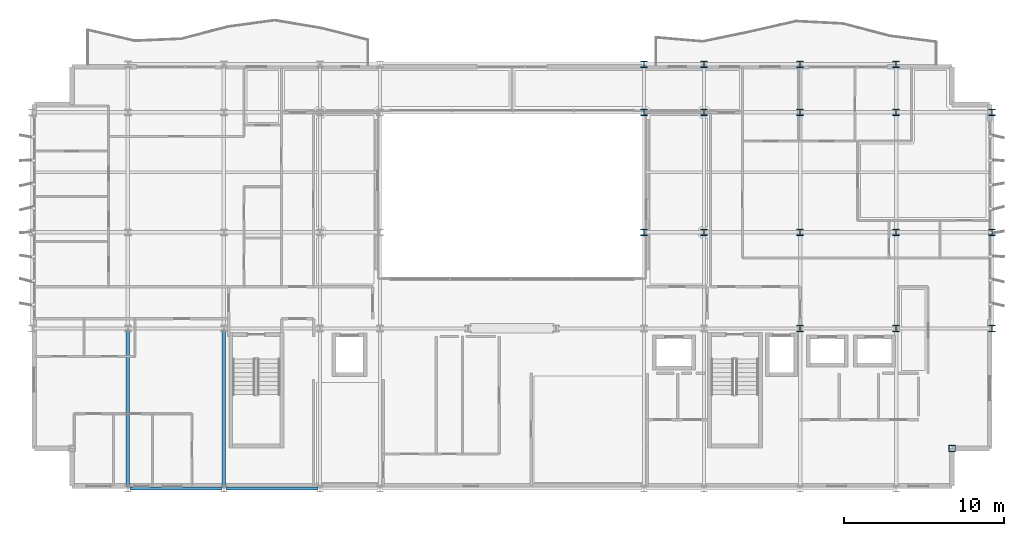
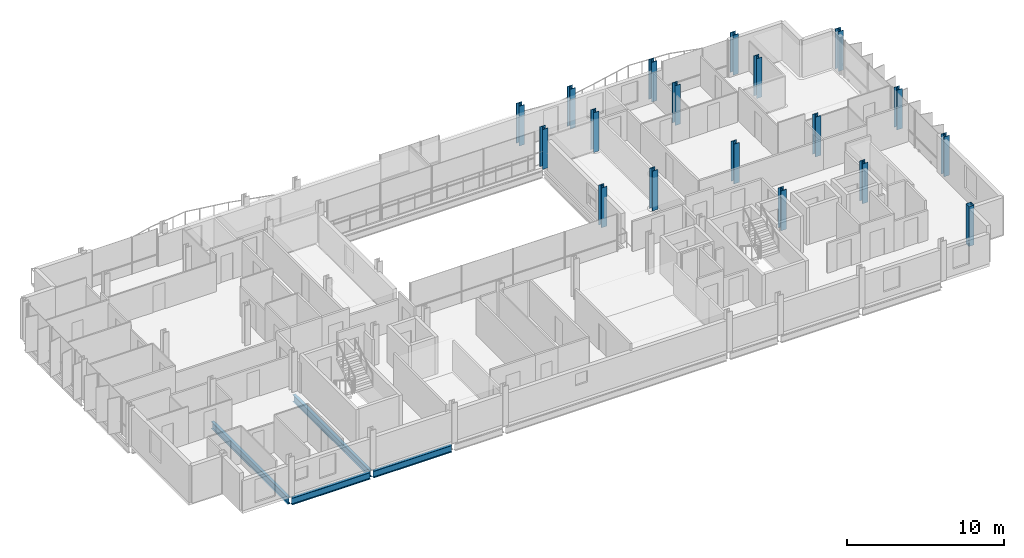
# One storey, part 2 of 38: 18 columns, 4 beams.
"""IFC4 building model written with IfcOpenShell, lengths in metres."""

from ifc_helpers import new_model, si_unit, direction, frame, origin, origin_2d, place, context, subcontext, project, spatial, hollow_rectangle, i_section, extrude, material, material_profile, profile_set, type_object, element, save


model = new_model("IFC4")

# Units and contexts
model_context = context("Model", 3, precision=1e-05, world=origin(), true_north=direction((0.0, 1.0)))
body_context = subcontext(model_context, "Body", "Model", "MODEL_VIEW")
ifc_project = project(units=[si_unit("LENGTHUNIT", "METRE"), si_unit("AREAUNIT", "SQUARE_METRE"), si_unit("VOLUMEUNIT", "CUBIC_METRE"), si_unit("PLANEANGLEUNIT", "RADIAN"), si_unit("MASSUNIT", "GRAM", prefix="KILO")], contexts=[model_context])

# Site, building, storey
site_placement = place(None, origin())
site = spatial("IfcSite", under=ifc_project, at=site_placement, CompositionType="ELEMENT")
building_placement = place(site_placement, origin())
building = spatial("IfcBuilding", under=site, at=building_placement, Name="Brevholm Reach", CompositionType="ELEMENT")
storey_placement = place(building_placement, frame((0.0, 0.0, 186.300048828125)))
storey = spatial("IfcBuildingStorey", under=building, at=storey_placement, Name="L56", CompositionType="ELEMENT", Elevation=186.300048828125)

# Columns
ifc_material_1 = material(Name="Structural Steel S460NH", Category="steel")
ifc_material_profile_1 = material_profile(ifc_material_1, hollow_rectangle(XDim=0.39990234375, YDim=0.39990234375, WallThickness=0.02001953125, InnerFilletRadius=0.011962890625, OuterFilletRadius=0.02392578125, at=origin_2d()), Name="SHS 400x400x20")
ifc_profile_set_1 = profile_set([ifc_material_profile_1], Name="Structural Steel S460NH")
column_type_1 = type_object("IfcColumnType", Name="COL-SHS2", PredefinedType="COLUMN", material=ifc_profile_set_1)
column_placement = place(storey_placement, frame((57.5, 2.5, 0.0), z_axis=(0.0, 0.0, 1.0), x_axis=(1.0, 0.0, 0.0)))
element("IfcColumn", 1, at=column_placement, inside=storey, type_object=column_type_1, Name="L56 Column 47", PredefinedType="COLUMN", context=body_context, shape_type="SweptSolid", body=[
    extrude(hollow_rectangle(XDim=0.39990234375, YDim=0.39990234375, WallThickness=0.02001953125, InnerFilletRadius=0.011962890625, OuterFilletRadius=0.02392578125, at=origin_2d()), origin(), (0.0, 0.0, 1.0), 3.099853515625),
])
ifc_material_2 = material(Name="Structural Steel S355J2", Category="steel")
ifc_material_profile_2 = material_profile(ifc_material_2, i_section(OverallWidth=0.39892578125, OverallDepth=0.3935546875, WebThickness=0.022705078125, FlangeThickness=0.03662109375, FilletRadius=0.01513671875, at=origin_2d()), Name="UKC 356x406x287")
ifc_profile_set_2 = profile_set([ifc_material_profile_2], Name="Structural Steel S355J2")
column_type_2 = type_object("IfcColumnType", Name="COL-UC5B", PredefinedType="COLUMN", material=ifc_profile_set_2)
for number, where, z_axis, x_axis, name in (
    (2, (38.25, 16.0, 0.0), (0.0, 0.0, 1.0), (1.0, 0.0, 0.0), "L56 Column 29"),
    (3, (38.25, 23.5, 0.0), (0.0, 0.0, 1.0), (1.0, 0.0, 0.0), "L56 Column 30"),
    (4, (38.25, 26.5, 0.0), (0.0, 0.0, 1.0), (1.0, 0.0, 0.0), "L56 Column 31"),
    (5, (42.0, 16.0, 0.0), (0.0, 0.0, 1.0), (1.0, 0.0, 0.0), "L56 Column 34"),
    (6, (42.0, 23.5, 0.0), (0.0, 0.0, 1.0), (1.0, 0.0, 0.0), "L56 Column 35"),
    (7, (42.0, 26.5, 0.0), (0.0, 0.0, 1.0), (1.0, 0.0, 0.0), "L56 Column 36"),
    (8, (48.0, 10.0, 0.0), (0.0, 0.0, 1.0), (1.0, 0.0, 0.0), "L56 Column 38"),
    (9, (48.0, 16.0, 0.0), (0.0, 0.0, 1.0), (1.0, 0.0, 0.0), "L56 Column 39"),
    (10, (48.0, 23.5, 0.0), (0.0, 0.0, 1.0), (1.0, 0.0, 0.0), "L56 Column 40"),
    (11, (48.0, 26.5, 0.0), (0.0, 0.0, 1.0), (1.0, 0.0, 0.0), "L56 Column 41"),
    (12, (54.0, 10.0, 0.0), (0.0, 0.0, 1.0), (1.0, 0.0, 0.0), "L56 Column 43"),
    (13, (54.0, 16.0, 0.0), (0.0, 0.0, 1.0), (1.0, 0.0, 0.0), "L56 Column 44"),
    (14, (54.0, 23.5, 0.0), (0.0, 0.0, 1.0), (1.0, 0.0, 0.0), "L56 Column 45"),
    (15, (54.0, 26.5, 0.0), (0.0, 0.0, 1.0), (1.0, 0.0, 0.0), "L56 Column 46"),
    (16, (60.0, 10.0, 0.0), (0.0, 0.0, 1.0), (1.0, 0.0, 0.0), "L56 Column 48"),
    (17, (60.0, 16.0, 0.0), (0.0, 0.0, 1.0), (1.0, 0.0, 0.0), "L56 Column 49"),
    (18, (60.0, 23.5, 0.0), (0.0, 0.0, 1.0), (1.0, 0.0, 0.0), "L56 Column 50"),
):
    element("IfcColumn", number, at=place(storey_placement, frame(where, z_axis=z_axis, x_axis=x_axis)), inside=storey, type_object=column_type_2, Name=name, PredefinedType="COLUMN", context=body_context, shape_type="SweptSolid", body=[
        extrude(i_section(OverallWidth=0.39892578125, OverallDepth=0.3935546875, WebThickness=0.022705078125, FlangeThickness=0.03662109375, FilletRadius=0.01513671875, at=origin_2d()), origin(), (0.0, 0.0, 1.0), 3.099853515625),
    ])

# Beams
ifc_material_3 = material(Name="Structural Steel S355J2", Category="steel")
ifc_material_profile_3 = material_profile(ifc_material_3, i_section(OverallWidth=0.209228515625, OverallDepth=0.533203125, WebThickness=0.010009765625, FlangeThickness=0.015625, FilletRadius=0.0126953125, at=origin_2d()), Name="UKB 533x210x92")
ifc_profile_set_3 = profile_set([ifc_material_profile_3], Name="Structural Steel S355J2")
beam_type_1 = type_object("IfcBeamType", Name="BM-SP533", PredefinedType="SPANDREL", material=ifc_profile_set_3)
for number, where, z_axis, x_axis, name in (
    (19, (6.1201171875, 0.0, -0.4765625), (1.0, 0.0, 0.0), (0.0, 1.0, 0.0), "L56 SP-02 Framing Beam"),
    (20, (12.1201171875, 0.0, -0.4765625), (1.0, 0.0, 0.0), (0.0, 1.0, 0.0), "L56 SP-02 Framing Beam"),
):
    element("IfcBeam", number, at=place(storey_placement, frame(where, z_axis=z_axis, x_axis=x_axis)), inside=storey, type_object=beam_type_1, Name=name, PredefinedType="SPANDREL", context=body_context, shape_type="SweptSolid", body=[
        extrude(i_section(OverallWidth=0.209228515625, OverallDepth=0.533203125, WebThickness=0.010009765625, FlangeThickness=0.015625, FilletRadius=0.0126953125, at=origin_2d()), origin(), (0.0, 0.0, 1.0), 5.759765625),
    ])
ifc_material_4 = material(Name="Structural Steel S355J2", Category="steel")
ifc_material_profile_4 = material_profile(ifc_material_4, i_section(OverallWidth=0.210693359375, OverallDepth=0.53955078125, WebThickness=0.01171875, FlangeThickness=0.018798828125, FilletRadius=0.0126953125, at=origin_2d()), Name="UKB 533x210x109")
ifc_profile_set_4 = profile_set([ifc_material_profile_4], Name="Structural Steel S355J2")
beam_type_2 = type_object("IfcBeamType", Name="BM-SP539", PredefinedType="SPANDREL", material=ifc_profile_set_4)
for number, where, z_axis, x_axis, name in (
    (21, (6.0, 0.1201171875, -0.479736328125), (0.0, 1.0, 0.0), (-1.0, 0.0, 0.0), "L56 SP-01B Framing Beam"),
    (22, (12.0, 0.1201171875, -0.479736328125), (0.0, 1.0, 0.0), (-1.0, 0.0, 0.0), "L56 SP-01B Framing Beam"),
):
    element("IfcBeam", number, at=place(storey_placement, frame(where, z_axis=z_axis, x_axis=x_axis)), inside=storey, type_object=beam_type_2, Name=name, PredefinedType="SPANDREL", context=body_context, shape_type="SweptSolid", body=[
        extrude(i_section(OverallWidth=0.210693359375, OverallDepth=0.53955078125, WebThickness=0.01171875, FlangeThickness=0.018798828125, FilletRadius=0.0126953125, at=origin_2d()), origin(), (0.0, 0.0, 1.0), 9.759765625),
    ])

save(model, "model.ifc")
